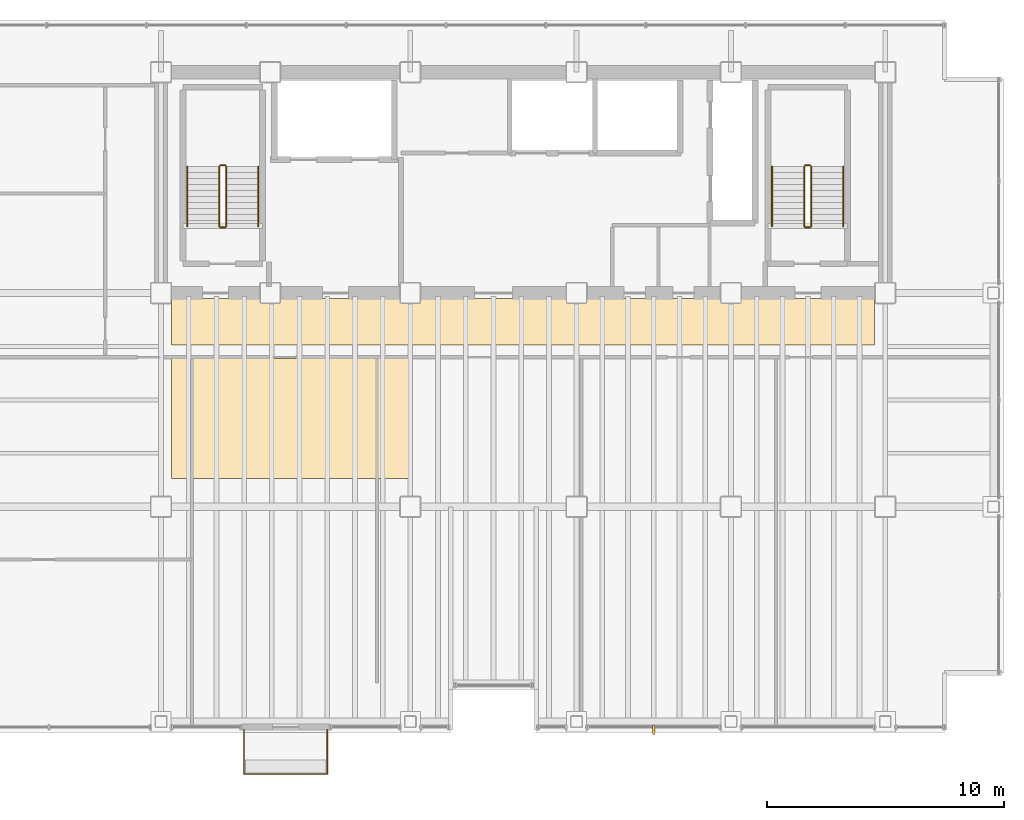
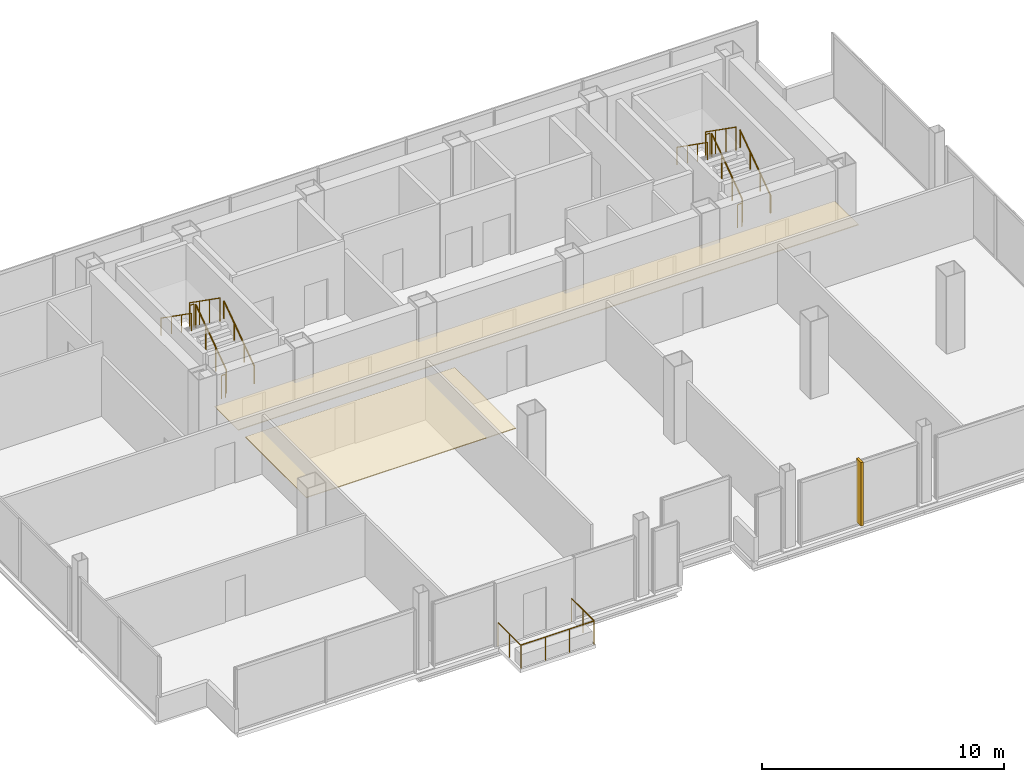
# One storey, part 20 of 20: 13 railings, 2 coverings, 1 shading device.
"""IFC4 building model written with IfcOpenShell, lengths in metres."""

from ifc_helpers import new_model, si_unit, direction, frame, origin, origin_2d, place, context, subcontext, project, spatial, polyline, rectangle, circle, outline, extrude, material, layer, layer_set, type_object, element, save


model = new_model("IFC4")

# Units and contexts
model_context = context("Model", 3, precision=1e-05, world=origin(), true_north=direction((0.0, 1.0)))
body_context = subcontext(model_context, "Body", "Model", "MODEL_VIEW")
ifc_project = project(units=[si_unit("LENGTHUNIT", "METRE"), si_unit("AREAUNIT", "SQUARE_METRE"), si_unit("VOLUMEUNIT", "CUBIC_METRE"), si_unit("PLANEANGLEUNIT", "RADIAN"), si_unit("MASSUNIT", "GRAM", prefix="KILO")], contexts=[model_context])

# Site, building, storey
site_placement = place(None, origin())
site = spatial("IfcSite", under=ifc_project, at=site_placement, CompositionType="ELEMENT")
building_placement = place(site_placement, origin())
building = spatial("IfcBuilding", under=site, at=building_placement, Name="Noeulbin Bourse Tower", CompositionType="ELEMENT")
storey_placement = place(building_placement, frame((0.0, 0.0, 118.800048828125)))
storey = spatial("IfcBuildingStorey", under=building, at=storey_placement, Name="L29", CompositionType="ELEMENT", Elevation=118.800048828125)

# Coverings
ifc_material_1 = material(Name="Perforated Mineral-Fibre Acoustic Tile")
ifc_layer_1 = layer(ifc_material_1, 0.0400390625)
ifc_layer_set_1 = layer_set([ifc_layer_1], Name="Perforated Mineral-Fibre Acoustic Tile")
covering_type = type_object("IfcCoveringType", Name="COV-CEIL-ACT", PredefinedType="CEILING", material=ifc_layer_set_1)
covering_1_placement = place(storey_placement, frame((0.0, 0.0, 2.10986328125)))
element("IfcCovering", 1, at=covering_1_placement, inside=storey, type_object=covering_type, Name="Corridor Suspended Ceiling L29", PredefinedType="CEILING", context=body_context, shape_type="SweptSolid", body=[
    extrude(outline(polyline([(13.949951171875, 26.820068359375), (43.550048828125, 26.820068359375), (43.550048828125, 28.780029296875), (13.949951171875, 28.780029296875), (13.949951171875, 26.820068359375)])), origin(), (0.0, 0.0, 1.0), 0.0400390625),
])
covering_2_placement = place(storey_placement, frame((0.0, 0.0, 2.10986328125)))
element("IfcCovering", 2, at=covering_2_placement, inside=storey, type_object=covering_type, Name="Trading Suite Acoustic Ceiling L29", PredefinedType="CEILING", context=body_context, shape_type="SweptSolid", body=[
    extrude(outline(polyline([(13.949951171875, 21.199951171875), (23.949951171875, 21.199951171875), (23.949951171875, 26.25), (13.949951171875, 26.25), (13.949951171875, 21.199951171875)])), origin(), (0.0, 0.0, 1.0), 0.0400390625),
])

# Railings
ifc_material_2 = material(Name="Laminated SentryGlas and Stainless Steel 316", Category="steel")
ifc_layer_2 = layer(ifc_material_2, 0.06005859375)
ifc_layer_set_2 = layer_set([ifc_layer_2], Name="Laminated SentryGlas and Stainless Steel 316")
railing_type_1 = type_object("IfcRailingType", Name="RLG-BAL-1200", PredefinedType="BALUSTRADE", material=ifc_layer_set_2)
railing_1_placement = place(storey_placement, frame((17.0, 10.6201171875, 0.0)))
element("IfcRailing", 3, at=railing_1_placement, inside=storey, type_object=railing_type_1, Name="Tree-Balcony Glazed Balustrade L29", PredefinedType="BALUSTRADE", context=body_context, shape_type="SweptSolid", body=[
    extrude(circle(Radius=0.02392578125, at=origin_2d()), frame((0.0, 0.0, 1.17578125), z_axis=(0.0, -1.0, 0.0), x_axis=(1.0, 0.0, 0.0)), (0.0, 0.0, 1.0), 1.8701171875),
    extrude(circle(Radius=0.02392578125, at=origin_2d()), frame((0.0, -1.8701171875, 1.17578125), z_axis=(1.0, 0.0, 0.0), x_axis=(0.0, 1.0, 0.0)), (0.0, 0.0, 1.0), 3.5),
    extrude(circle(Radius=0.02392578125, at=origin_2d()), frame((3.5, -1.8701171875, 1.17578125), z_axis=(0.0, 1.0, 0.0), x_axis=(-1.0, 0.0, 0.0)), (0.0, 0.0, 1.0), 1.8701171875),
    extrude(circle(Radius=0.02099609375, at=origin_2d()), origin(), (0.0, 0.0, 1.0), 1.15185546875),
    extrude(circle(Radius=0.02099609375, at=origin_2d()), frame((0.0, -0.93505859375, 0.0)), (0.0, 0.0, 1.0), 1.15185546875),
    extrude(circle(Radius=0.02099609375, at=origin_2d()), frame((0.0, -1.8701171875, 0.0)), (0.0, 0.0, 1.0), 1.15185546875),
    extrude(circle(Radius=0.02099609375, at=origin_2d()), frame((1.166748046875, -1.8701171875, 0.0)), (0.0, 0.0, 1.0), 1.15185546875),
    extrude(circle(Radius=0.02099609375, at=origin_2d()), frame((2.333251953125, -1.8701171875, 0.0)), (0.0, 0.0, 1.0), 1.15185546875),
    extrude(circle(Radius=0.02099609375, at=origin_2d()), frame((3.5, -1.8701171875, 0.0)), (0.0, 0.0, 1.0), 1.15185546875),
    extrude(circle(Radius=0.02099609375, at=origin_2d()), frame((3.5, -0.93505859375, 0.0)), (0.0, 0.0, 1.0), 1.15185546875),
    extrude(circle(Radius=0.02099609375, at=origin_2d()), frame((3.5, 0.0, 0.0)), (0.0, 0.0, 1.0), 1.15185546875),
])
ifc_material_3 = material(Name="Painted Tubular Steel S355", Category="steel")
ifc_layer_3 = layer(ifc_material_3, 0.048095703125)
ifc_layer_set_3 = layer_set([ifc_layer_3], Name="Painted Tubular Steel S355")
railing_type_2 = type_object("IfcRailingType", Name="RLG-STR-GRD", PredefinedType="GUARDRAIL", material=ifc_layer_set_3)
railing_2_placement = place(storey_placement, frame((16.25, 31.81005859375, 0.17724609375)))
element("IfcRailing", 4, at=railing_2_placement, inside=storey, type_object=railing_type_2, Name="L29 ST-1 stair guard 1", PredefinedType="GUARDRAIL", context=body_context, shape_type="SweptSolid", body=[
    extrude(circle(Radius=0.02392578125, at=origin_2d()), frame((0.0, 0.0, 1.17578125), z_axis=(0.0, 0.817904474719, 0.575354039036), x_axis=(-1.0, 0.0, 0.0)), (0.0, 0.0, 1.0), 3.0810546875),
    extrude(circle(Radius=0.02099609375, at=origin_2d()), origin(), (0.0, 0.0, 1.0), 1.15185546875),
    extrude(circle(Radius=0.02099609375, at=origin_2d()), frame((0.0, 0.840087890625, 0.5908203125)), (0.0, 0.0, 1.0), 1.15185546875),
    extrude(circle(Radius=0.02099609375, at=origin_2d()), frame((0.0, 1.679931640625, 1.181884765625)), (0.0, 0.0, 1.0), 1.15185546875),
    extrude(circle(Radius=0.02099609375, at=origin_2d()), frame((0.0, 2.52001953125, 1.772705078125)), (0.0, 0.0, 1.0), 1.15185546875),
])
railing_3_placement = place(storey_placement, frame((16.199951171875, 34.3798828125, 1.949951171875)))
element("IfcRailing", 5, at=railing_3_placement, inside=storey, type_object=railing_type_2, Name="L29 ST-1 stair guard 2", PredefinedType="GUARDRAIL", context=body_context, shape_type="SweptSolid", body=[
    extrude(circle(Radius=0.02392578125, at=origin_2d()), frame((0.0, 0.0, 1.17578125), z_axis=(-1.0, 0.0, 0.0), x_axis=(0.0, -1.0, 0.0)), (0.0, 0.0, 1.0), 0.199951171875),
    extrude(circle(Radius=0.02099609375, at=origin_2d()), origin(), (0.0, 0.0, 1.0), 1.15185546875),
    extrude(circle(Radius=0.02099609375, at=origin_2d()), frame((-0.199951171875, 0.0, 0.0)), (0.0, 0.0, 1.0), 1.15185546875),
])
railing_4_placement = place(storey_placement, frame((15.949951171875, 34.330078125, 2.127197265625)))
element("IfcRailing", 6, at=railing_4_placement, inside=storey, type_object=railing_type_2, Name="L29 ST-1 stair guard 3", PredefinedType="GUARDRAIL", context=body_context, shape_type="SweptSolid", body=[
    extrude(circle(Radius=0.02392578125, at=origin_2d()), frame((0.0, 0.0, 1.17578125), z_axis=(0.0, -0.817904474719, 0.575354039036), x_axis=(1.0, 0.0, 0.0)), (0.0, 0.0, 1.0), 3.0810546875),
    extrude(circle(Radius=0.02099609375, at=origin_2d()), origin(), (0.0, 0.0, 1.0), 1.15185546875),
    extrude(circle(Radius=0.02099609375, at=origin_2d()), frame((0.0, -0.840087890625, 0.5908203125)), (0.0, 0.0, 1.0), 1.15185546875),
    extrude(circle(Radius=0.02099609375, at=origin_2d()), frame((0.0, -1.679931640625, 1.181884765625)), (0.0, 0.0, 1.0), 1.15185546875),
    extrude(circle(Radius=0.02099609375, at=origin_2d()), frame((0.0, -2.52001953125, 1.772705078125)), (0.0, 0.0, 1.0), 1.15185546875),
])
railing_5_placement = place(storey_placement, frame((16.199951171875, 31.760009765625, 0.0)))
element("IfcRailing", 7, at=railing_5_placement, inside=storey, type_object=railing_type_2, Name="L29 ST-1 stair guard 4", PredefinedType="GUARDRAIL", context=body_context, shape_type="SweptSolid", body=[
    extrude(circle(Radius=0.02392578125, at=origin_2d()), frame((0.0, 0.0, 1.17578125), z_axis=(-1.0, 0.0, 0.0), x_axis=(0.0, -1.0, 0.0)), (0.0, 0.0, 1.0), 0.199951171875),
    extrude(circle(Radius=0.02099609375, at=origin_2d()), origin(), (0.0, 0.0, 1.0), 1.15185546875),
    extrude(circle(Radius=0.02099609375, at=origin_2d()), frame((-0.199951171875, 0.0, 0.0)), (0.0, 0.0, 1.0), 1.15185546875),
])
railing_6_placement = place(storey_placement, frame((40.8798828125, 31.81005859375, 0.17724609375)))
element("IfcRailing", 8, at=railing_6_placement, inside=storey, type_object=railing_type_2, Name="L29 ST-2 stair guard 1", PredefinedType="GUARDRAIL", context=body_context, shape_type="SweptSolid", body=[
    extrude(circle(Radius=0.02392578125, at=origin_2d()), frame((0.0, 0.0, 1.17578125), z_axis=(0.0, 0.817904474719, 0.575354039036), x_axis=(-1.0, 0.0, 0.0)), (0.0, 0.0, 1.0), 3.0810546875),
    extrude(circle(Radius=0.02099609375, at=origin_2d()), origin(), (0.0, 0.0, 1.0), 1.15185546875),
    extrude(circle(Radius=0.02099609375, at=origin_2d()), frame((0.0, 0.840087890625, 0.5908203125)), (0.0, 0.0, 1.0), 1.15185546875),
    extrude(circle(Radius=0.02099609375, at=origin_2d()), frame((0.0, 1.679931640625, 1.181884765625)), (0.0, 0.0, 1.0), 1.15185546875),
    extrude(circle(Radius=0.02099609375, at=origin_2d()), frame((0.0, 2.52001953125, 1.772705078125)), (0.0, 0.0, 1.0), 1.15185546875),
])
railing_7_placement = place(storey_placement, frame((40.830078125, 34.3798828125, 1.949951171875)))
element("IfcRailing", 9, at=railing_7_placement, inside=storey, type_object=railing_type_2, Name="L29 ST-2 stair guard 2", PredefinedType="GUARDRAIL", context=body_context, shape_type="SweptSolid", body=[
    extrude(circle(Radius=0.02392578125, at=origin_2d()), frame((0.0, 0.0, 1.17578125), z_axis=(-1.0, 0.0, 0.0), x_axis=(0.0, -1.0, 0.0)), (0.0, 0.0, 1.0), 0.2001953125),
    extrude(circle(Radius=0.02099609375, at=origin_2d()), origin(), (0.0, 0.0, 1.0), 1.15185546875),
    extrude(circle(Radius=0.02099609375, at=origin_2d()), frame((-0.2001953125, 0.0, 0.0)), (0.0, 0.0, 1.0), 1.15185546875),
])
railing_8_placement = place(storey_placement, frame((40.580078125, 34.330078125, 2.127197265625)))
element("IfcRailing", 10, at=railing_8_placement, inside=storey, type_object=railing_type_2, Name="L29 ST-2 stair guard 3", PredefinedType="GUARDRAIL", context=body_context, shape_type="SweptSolid", body=[
    extrude(circle(Radius=0.02392578125, at=origin_2d()), frame((0.0, 0.0, 1.17578125), z_axis=(0.0, -0.817904474719, 0.575354039036), x_axis=(1.0, 0.0, 0.0)), (0.0, 0.0, 1.0), 3.0810546875),
    extrude(circle(Radius=0.02099609375, at=origin_2d()), origin(), (0.0, 0.0, 1.0), 1.15185546875),
    extrude(circle(Radius=0.02099609375, at=origin_2d()), frame((0.0, -0.840087890625, 0.5908203125)), (0.0, 0.0, 1.0), 1.15185546875),
    extrude(circle(Radius=0.02099609375, at=origin_2d()), frame((0.0, -1.679931640625, 1.181884765625)), (0.0, 0.0, 1.0), 1.15185546875),
    extrude(circle(Radius=0.02099609375, at=origin_2d()), frame((0.0, -2.52001953125, 1.772705078125)), (0.0, 0.0, 1.0), 1.15185546875),
])
railing_9_placement = place(storey_placement, frame((40.830078125, 31.760009765625, 0.0)))
element("IfcRailing", 11, at=railing_9_placement, inside=storey, type_object=railing_type_2, Name="L29 ST-2 stair guard 4", PredefinedType="GUARDRAIL", context=body_context, shape_type="SweptSolid", body=[
    extrude(circle(Radius=0.02392578125, at=origin_2d()), frame((0.0, 0.0, 1.17578125), z_axis=(-1.0, 0.0, 0.0), x_axis=(0.0, -1.0, 0.0)), (0.0, 0.0, 1.0), 0.2001953125),
    extrude(circle(Radius=0.02099609375, at=origin_2d()), origin(), (0.0, 0.0, 1.0), 1.15185546875),
    extrude(circle(Radius=0.02099609375, at=origin_2d()), frame((-0.2001953125, 0.0, 0.0)), (0.0, 0.0, 1.0), 1.15185546875),
])
ifc_material_4 = material(Name="Brushed Stainless Steel 316", Category="steel")
ifc_layer_4 = layer(ifc_material_4, 0.048095703125)
ifc_layer_set_4 = layer_set([ifc_layer_4], Name="Brushed Stainless Steel 316")
railing_type_3 = type_object("IfcRailingType", Name="RLG-STR-HND", PredefinedType="HANDRAIL", material=ifc_layer_set_4)
railing_10_placement = place(storey_placement, frame((17.60009765625, 31.81005859375, 0.17724609375)))
element("IfcRailing", 12, at=railing_10_placement, inside=storey, type_object=railing_type_3, Name="L29 ST-1 stair handrail 1", PredefinedType="HANDRAIL", context=body_context, shape_type="SweptSolid", body=[
    extrude(circle(Radius=0.02392578125, at=origin_2d()), frame((0.0, 0.0, 0.8759765625), z_axis=(0.0, 0.817904474719, 0.575354039036), x_axis=(-1.0, 0.0, 0.0)), (0.0, 0.0, 1.0), 3.0810546875),
    extrude(circle(Radius=0.02099609375, at=origin_2d()), origin(), (0.0, 0.0, 1.0), 0.851806640625),
    extrude(circle(Radius=0.02099609375, at=origin_2d()), frame((0.0, 0.840087890625, 0.5908203125)), (0.0, 0.0, 1.0), 0.851806640625),
    extrude(circle(Radius=0.02099609375, at=origin_2d()), frame((0.0, 1.679931640625, 1.181884765625)), (0.0, 0.0, 1.0), 0.851806640625),
    extrude(circle(Radius=0.02099609375, at=origin_2d()), frame((0.0, 2.52001953125, 1.772705078125)), (0.0, 0.0, 1.0), 0.851806640625),
])
railing_11_placement = place(storey_placement, frame((14.60009765625, 34.330078125, 2.127197265625)))
element("IfcRailing", 13, at=railing_11_placement, inside=storey, type_object=railing_type_3, Name="L29 ST-1 stair handrail 2", PredefinedType="HANDRAIL", context=body_context, shape_type="SweptSolid", body=[
    extrude(circle(Radius=0.02392578125, at=origin_2d()), frame((0.0, 0.0, 0.8759765625), z_axis=(0.0, -0.817904474719, 0.575354039036), x_axis=(1.0, 0.0, 0.0)), (0.0, 0.0, 1.0), 3.0810546875),
    extrude(circle(Radius=0.02099609375, at=origin_2d()), origin(), (0.0, 0.0, 1.0), 0.851806640625),
    extrude(circle(Radius=0.02099609375, at=origin_2d()), frame((0.0, -0.840087890625, 0.5908203125)), (0.0, 0.0, 1.0), 0.851806640625),
    extrude(circle(Radius=0.02099609375, at=origin_2d()), frame((0.0, -1.679931640625, 1.181884765625)), (0.0, 0.0, 1.0), 0.851806640625),
    extrude(circle(Radius=0.02099609375, at=origin_2d()), frame((0.0, -2.52001953125, 1.772705078125)), (0.0, 0.0, 1.0), 0.851806640625),
])
railing_12_placement = place(storey_placement, frame((42.22998046875, 31.81005859375, 0.17724609375)))
element("IfcRailing", 14, at=railing_12_placement, inside=storey, type_object=railing_type_3, Name="L29 ST-2 stair handrail 1", PredefinedType="HANDRAIL", context=body_context, shape_type="SweptSolid", body=[
    extrude(circle(Radius=0.02392578125, at=origin_2d()), frame((0.0, 0.0, 0.8759765625), z_axis=(0.0, 0.817904474719, 0.575354039036), x_axis=(-1.0, 0.0, 0.0)), (0.0, 0.0, 1.0), 3.0810546875),
    extrude(circle(Radius=0.02099609375, at=origin_2d()), origin(), (0.0, 0.0, 1.0), 0.851806640625),
    extrude(circle(Radius=0.02099609375, at=origin_2d()), frame((0.0, 0.840087890625, 0.5908203125)), (0.0, 0.0, 1.0), 0.851806640625),
    extrude(circle(Radius=0.02099609375, at=origin_2d()), frame((0.0, 1.679931640625, 1.181884765625)), (0.0, 0.0, 1.0), 0.851806640625),
    extrude(circle(Radius=0.02099609375, at=origin_2d()), frame((0.0, 2.52001953125, 1.772705078125)), (0.0, 0.0, 1.0), 0.851806640625),
])
railing_13_placement = place(storey_placement, frame((39.22998046875, 34.330078125, 2.127197265625)))
element("IfcRailing", 15, at=railing_13_placement, inside=storey, type_object=railing_type_3, Name="L29 ST-2 stair handrail 2", PredefinedType="HANDRAIL", context=body_context, shape_type="SweptSolid", body=[
    extrude(circle(Radius=0.02392578125, at=origin_2d()), frame((0.0, 0.0, 0.8759765625), z_axis=(0.0, -0.817904474719, 0.575354039036), x_axis=(1.0, 0.0, 0.0)), (0.0, 0.0, 1.0), 3.0810546875),
    extrude(circle(Radius=0.02099609375, at=origin_2d()), origin(), (0.0, 0.0, 1.0), 0.851806640625),
    extrude(circle(Radius=0.02099609375, at=origin_2d()), frame((0.0, -0.840087890625, 0.5908203125)), (0.0, 0.0, 1.0), 0.851806640625),
    extrude(circle(Radius=0.02099609375, at=origin_2d()), frame((0.0, -1.679931640625, 1.181884765625)), (0.0, 0.0, 1.0), 0.851806640625),
    extrude(circle(Radius=0.02099609375, at=origin_2d()), frame((0.0, -2.52001953125, 1.772705078125)), (0.0, 0.0, 1.0), 0.851806640625),
])

# Shading device
ifc_material_5 = material(Name="Anodised Aluminium 6063-T6", Category="aluminium")
ifc_layer_5 = layer(ifc_material_5, 3.199951171875)
ifc_layer_set_5 = layer_set([ifc_layer_5], Name="Anodised Aluminium 6063-T6")
shading_device_type = type_object("IfcShadingDeviceType", Name="SHD-FIN-400", PredefinedType="USERDEFINED", material=ifc_layer_set_5)
shading_device_placement = place(storey_placement, frame((34.25, 10.60009765625, 0.14990234375), z_axis=(0.0, 0.0, 1.0), x_axis=(1.0, 0.0, 0.0)))
element("IfcShadingDevice", 16, at=shading_device_placement, inside=storey, type_object=shading_device_type, Name="Vertical Solar Fin SN-L29-2", ObjectType="SUNSHADE", PredefinedType="USERDEFINED", context=body_context, shape_type="SweptSolid", body=[
    extrude(rectangle(XDim=0.1201171875, YDim=0.3798828125, at=origin_2d()), origin(), (0.0, 0.0, 1.0), 3.199951171875),
])

save(model, "model.ifc")
